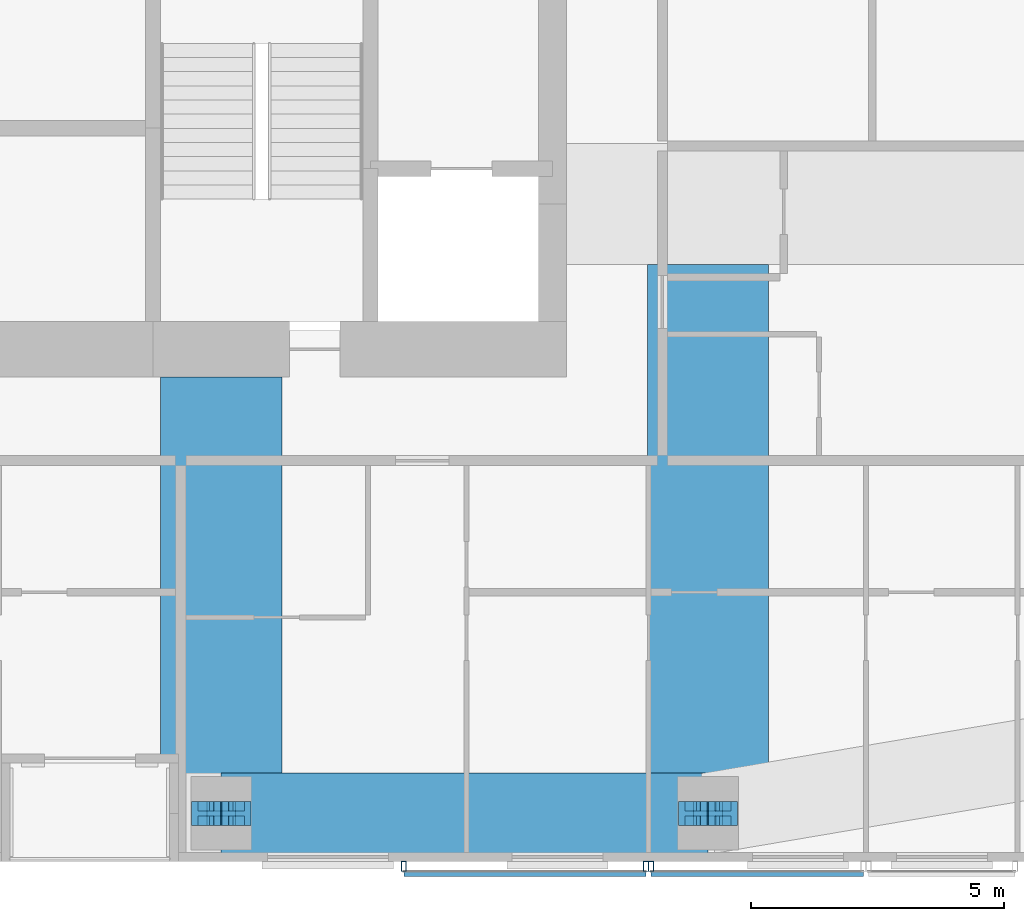
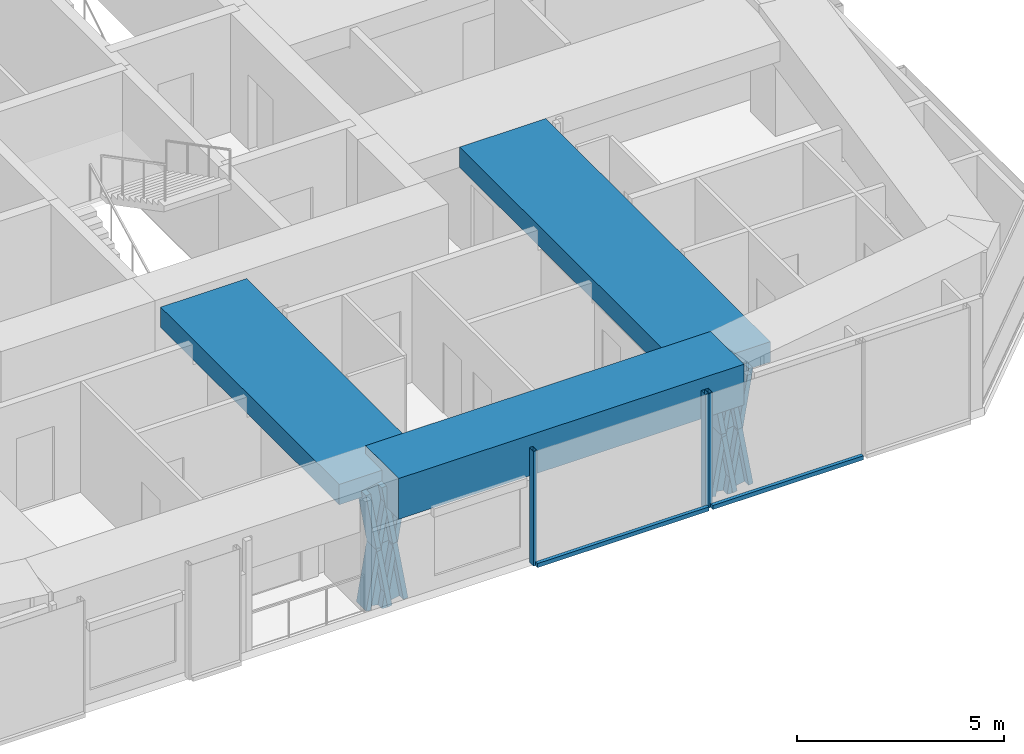
# One storey, part 5 of 20: 13 members, 3 beams, 2 elements without a shape of their own.
"""IFC4 building model written with IfcOpenShell, lengths in metres."""

from ifc_helpers import new_model, si_unit, direction, frame, origin, origin_2d, place, context, subcontext, project, spatial, rectangle, hollow_rectangle, i_section, extrude, material, material_profile, profile_set, type_object, element, aggregate, save


model = new_model("IFC4")

# Units and contexts
model_context = context("Model", 3, precision=1e-05, world=origin(), true_north=direction((0.0, 1.0)))
body_context = subcontext(model_context, "Body", "Model", "MODEL_VIEW")
ifc_project = project(units=[si_unit("LENGTHUNIT", "METRE"), si_unit("AREAUNIT", "SQUARE_METRE"), si_unit("VOLUMEUNIT", "CUBIC_METRE"), si_unit("PLANEANGLEUNIT", "RADIAN"), si_unit("MASSUNIT", "GRAM", prefix="KILO")], contexts=[model_context])

# Site, building, storey
site_placement = place(None, origin())
site = spatial("IfcSite", under=ifc_project, at=site_placement, CompositionType="ELEMENT")
building_placement = place(site_placement, origin())
building = spatial("IfcBuilding", under=site, at=building_placement, Name="Jalousie Tower", CompositionType="ELEMENT")
storey_placement = place(building_placement, frame((0.0, 0.0, 238.949951171875)))
storey = spatial("IfcBuildingStorey", under=building, at=storey_placement, Name="L65", CompositionType="ELEMENT", Elevation=238.949951171875)

# Members
ifc_material_1 = material(Name="Steel ASTM A992 Grade 50", Category="steel")
ifc_material_profile_1 = material_profile(ifc_material_1, i_section(OverallWidth=0.472412109375, OverallDepth=0.5791015625, WebThickness=0.094970703125, FlangeThickness=0.1298828125, at=origin_2d()), Name="W14X808")
ifc_profile_set_1 = profile_set([ifc_material_profile_1], Name="Steel ASTM A992 Grade 50")
member_type_1 = type_object("IfcMemberType", Name="PERIMETER BRACE W14X808", PredefinedType="BRACE", material=ifc_profile_set_1)
for number, where, z_axis, x_axis, name in (
    (1, (36.949951171875, 0.949951171875, -0.599853515625), (0.168990530437, 0.0, 0.98561767467), (0.0, 1.0, 0.0), "Perimeter brace 03 L65 part 1"),
    (2, (37.25, 0.949951171875, 1.150146484375), (0.168990530437, 0.0, 0.98561767467), (0.0, 1.0, 0.0), "Perimeter brace 03 L65 part 2"),
    (3, (37.550048828125, 0.949951171875, -0.599853515625), (-0.168990530437, 0.0, 0.98561767467), (0.0, -1.0, 0.0), "Perimeter brace 03 L65 part 3"),
    (4, (37.25, 0.949951171875, 1.150146484375), (-0.168990530437, 0.0, 0.98561767467), (0.0, -1.0, 0.0), "Perimeter brace 03 L65 part 4"),
    (5, (46.574951171875, 0.949951171875, -0.599853515625), (0.168990530437, 0.0, 0.98561767467), (0.0, 1.0, 0.0), "Perimeter brace 04 L65 part 1"),
    (6, (46.875, 0.949951171875, 1.150146484375), (0.168990530437, 0.0, 0.98561767467), (0.0, 1.0, 0.0), "Perimeter brace 04 L65 part 2"),
    (7, (47.175048828125, 0.949951171875, -0.599853515625), (-0.168990530437, 0.0, 0.98561767467), (0.0, -1.0, 0.0), "Perimeter brace 04 L65 part 3"),
    (8, (46.875, 0.949951171875, 1.150146484375), (-0.168990530437, 0.0, 0.98561767467), (0.0, -1.0, 0.0), "Perimeter brace 04 L65 part 4"),
):
    element("IfcMember", number, at=place(storey_placement, frame(where, z_axis=z_axis, x_axis=x_axis)), inside=storey, type_object=member_type_1, Name=name, PredefinedType="BRACE", context=body_context, shape_type="SweptSolid", body=[
        extrude(i_section(OverallWidth=0.472412109375, OverallDepth=0.5791015625, WebThickness=0.094970703125, FlangeThickness=0.1298828125, at=origin_2d()), origin(), (0.0, 0.0, 1.0), 1.775634765625),
    ])

# Beams
ifc_material_2 = material(Name="Concrete f'c 40 MPa", Category="concrete")
ifc_material_profile_2 = material_profile(ifc_material_2, rectangle(XDim=1.60009765625, YDim=1.199951171875, at=origin_2d()), Name="RC 1600x1200")
ifc_profile_set_2 = profile_set([ifc_material_profile_2], Name="Concrete f'c 40 MPa")
beam_type_1 = type_object("IfcBeamType", Name="RC BEAM 1600x1200", PredefinedType="BEAM", material=ifc_profile_set_2)
beam_1_placement = place(storey_placement, frame((37.25, 0.949951171875, 2.900146484375), z_axis=(1.0, 0.0, 0.0), x_axis=(0.0, 1.0, 0.0)))
element("IfcBeam", 9, at=beam_1_placement, inside=storey, type_object=beam_type_1, Name="Edge band beam 03-04 under L66", PredefinedType="BEAM", context=body_context, shape_type="SweptSolid", body=[
    extrude(rectangle(XDim=1.60009765625, YDim=1.199951171875, at=origin_2d()), origin(), (0.0, 0.0, 1.0), 9.625),
])
ifc_material_3 = material(Name="Concrete f'c 40 MPa", Category="concrete")
ifc_material_profile_3 = material_profile(ifc_material_3, rectangle(XDim=2.39990234375, YDim=0.60009765625, at=origin_2d()), Name="RC 2400x600")
ifc_profile_set_3 = profile_set([ifc_material_profile_3], Name="Concrete f'c 40 MPa")
beam_type_2 = type_object("IfcBeamType", Name="RC BEAM 2400x600", PredefinedType="BEAM", material=ifc_profile_set_3)
beam_2_placement = place(storey_placement, frame((37.25, 0.949951171875, 2.9599609375), z_axis=(0.0, 1.0, 0.0), x_axis=(-1.0, 0.0, 0.0)))
element("IfcBeam", 10, at=beam_2_placement, inside=storey, type_object=beam_type_2, Name="Floor band beam under L66", PredefinedType="BEAM", context=body_context, shape_type="SweptSolid", body=[
    extrude(rectangle(XDim=2.39990234375, YDim=0.60009765625, at=origin_2d()), origin(), (0.0, 0.0, 1.0), 8.625),
])
beam_3_placement = place(storey_placement, frame((46.875, 0.949951171875, 2.9599609375), z_axis=(0.0, 1.0, 0.0), x_axis=(-1.0, 0.0, 0.0)))
element("IfcBeam", 11, at=beam_3_placement, inside=storey, type_object=beam_type_2, Name="Floor band beam under L66", PredefinedType="BEAM", context=body_context, shape_type="SweptSolid", body=[
    extrude(rectangle(XDim=2.39990234375, YDim=0.60009765625, at=origin_2d()), origin(), (0.0, 0.0, 1.0), 10.85009765625),
])

# Curtain wall, members
ifc_material_4 = material(Name="Perforated aluminium sheet", Category="aluminium")
curtain_wall_type = type_object("IfcCurtainWallType", Name="SOLAR SCREEN SS-2", PredefinedType="USERDEFINED", material=ifc_material_4)
curtain_wall_1_placement = place(storey_placement, origin())
curtain_wall_1 = element("IfcCurtainWall", 12, at=curtain_wall_1_placement, inside=storey, type_object=curtain_wall_type, Name="Solar screen L65", ObjectType="SOLAR SCREEN SS-2", PredefinedType="USERDEFINED")
ifc_material_5 = material(Name="Steel ASTM A500 Grade C", Category="steel")
ifc_material_profile_4 = material_profile(ifc_material_5, hollow_rectangle(XDim=0.1015625, YDim=0.203125, WallThickness=0.0078125, at=origin_2d()), Name="HSS8X4X5/16")
ifc_profile_set_4 = profile_set([ifc_material_profile_4], Name="Steel ASTM A500 Grade C")
member_type_2 = type_object("IfcMemberType", Name="SOLAR SCREEN SS-2 MULLION", PredefinedType="MULLION", material=ifc_profile_set_4)
member_1_placement = place(storey_placement, frame((40.860107421875, -0.0966796875, -0.119873046875), z_axis=(0.0, 0.0, 1.0), x_axis=(1.0, 0.0, 0.0)))
member_1 = element("IfcMember", 13, at=member_1_placement, type_object=member_type_2, Name="SS2 post 1", PredefinedType="MULLION", context=body_context, shape_type="SweptSolid", body=[
    extrude(hollow_rectangle(XDim=0.1015625, YDim=0.203125, WallThickness=0.0078125, at=origin_2d()), origin(), (0.0, 0.0, 1.0), 3.3798828125),
])
member_2_placement = place(storey_placement, frame((45.64990234375, -0.0966796875, -0.119873046875), z_axis=(0.0, 0.0, 1.0), x_axis=(1.0, 0.0, 0.0)))
member_2 = element("IfcMember", 14, at=member_2_placement, type_object=member_type_2, Name="SS2 post 2", PredefinedType="MULLION", context=body_context, shape_type="SweptSolid", body=[
    extrude(hollow_rectangle(XDim=0.1015625, YDim=0.203125, WallThickness=0.0078125, at=origin_2d()), origin(), (0.0, 0.0, 1.0), 3.3798828125),
])

# Curtain wall, member
curtain_wall_2_placement = place(storey_placement, origin())
curtain_wall_2 = element("IfcCurtainWall", 15, at=curtain_wall_2_placement, inside=storey, type_object=curtain_wall_type, Name="Solar screen L65", ObjectType="SOLAR SCREEN SS-2", PredefinedType="USERDEFINED")
member_3_placement = place(storey_placement, frame((45.75, -0.0966796875, -0.119873046875), z_axis=(0.0, 0.0, 1.0), x_axis=(1.0, 0.0, 0.0)))
member_3 = element("IfcMember", 16, at=member_3_placement, type_object=member_type_2, Name="SS2 post 1", PredefinedType="MULLION", context=body_context, shape_type="SweptSolid", body=[
    extrude(hollow_rectangle(XDim=0.1015625, YDim=0.203125, WallThickness=0.0078125, at=origin_2d()), origin(), (0.0, 0.0, 1.0), 3.3798828125),
])

# Member
ifc_material_6 = material(Name="Extruded aluminium screen rail", Category="aluminium")
ifc_material_profile_5 = material_profile(ifc_material_6, rectangle(XDim=0.1015625, YDim=0.1201171875, at=origin_2d()), Name="RAIL 102x120")
ifc_profile_set_5 = profile_set([ifc_material_profile_5], Name="Extruded aluminium screen rail")
member_type_3 = type_object("IfcMemberType", Name="SOLAR SCREEN SS-2 TRANSOM", PredefinedType="USERDEFINED", material=ifc_profile_set_5)
member_4_placement = place(storey_placement, frame((40.860107421875, -0.2490234375, -0.06005859375), z_axis=(1.0, 0.0, 0.0), x_axis=(0.0, 1.0, 0.0)))
member_4 = element("IfcMember", 17, at=member_4_placement, type_object=member_type_3, Name="SS2 rail", ObjectType="TRANSOM", PredefinedType="USERDEFINED", context=body_context, shape_type="SweptSolid", body=[
    extrude(rectangle(XDim=0.1015625, YDim=0.1201171875, at=origin_2d()), origin(), (0.0, 0.0, 1.0), 4.789794921875),
])

aggregate(curtain_wall_1, [member_1, member_2, member_4])

member_5_placement = place(storey_placement, frame((45.75, -0.2490234375, -0.06005859375), z_axis=(1.0, 0.0, 0.0), x_axis=(0.0, 1.0, 0.0)))
member_5 = element("IfcMember", 18, at=member_5_placement, type_object=member_type_3, Name="SS2 rail", ObjectType="TRANSOM", PredefinedType="USERDEFINED", context=body_context, shape_type="SweptSolid", body=[
    extrude(rectangle(XDim=0.1015625, YDim=0.1201171875, at=origin_2d()), origin(), (0.0, 0.0, 1.0), 4.199951171875),
])

aggregate(curtain_wall_2, [member_3, member_5])

save(model, "model.ifc")
